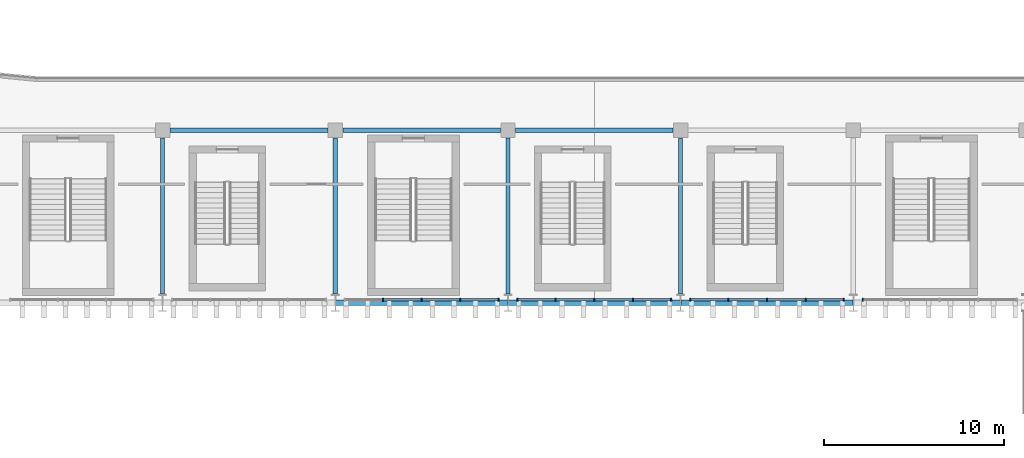
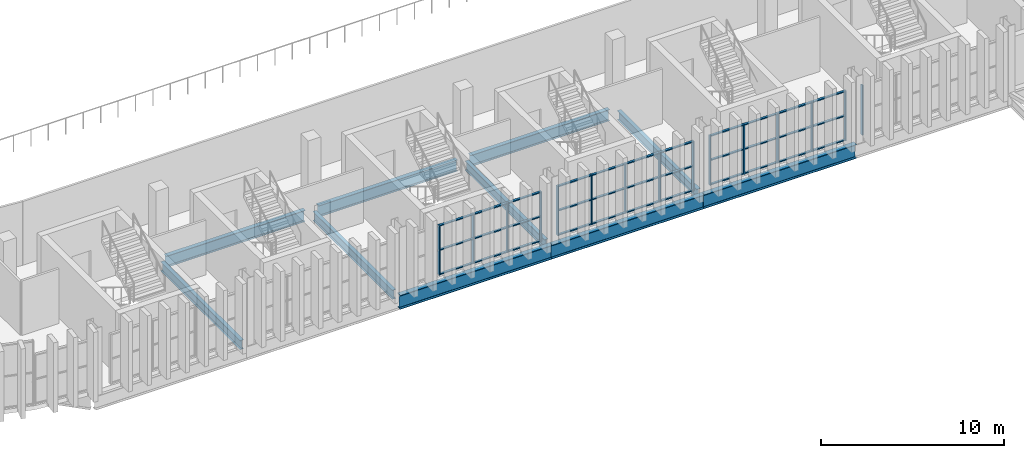
# One storey, part 9 of 75: 48 members, 10 beams, 4 elements without a shape of their own.
"""IFC4 building model written with IfcOpenShell, lengths in metres."""

from ifc_helpers import new_model, si_unit, direction, frame, origin, origin_2d, place, context, subcontext, project, spatial, rectangle, i_section, extrude, material, layer, layer_set, material_profile, profile_set, type_object, element, aggregate, save


model = new_model("IFC4")

# Units and contexts
model_context = context("Model", 3, precision=1e-05, world=origin(), true_north=direction((0.0, 1.0)))
body_context = subcontext(model_context, "Body", "Model", "MODEL_VIEW")
ifc_project = project(units=[si_unit("LENGTHUNIT", "METRE"), si_unit("AREAUNIT", "SQUARE_METRE"), si_unit("VOLUMEUNIT", "CUBIC_METRE"), si_unit("PLANEANGLEUNIT", "RADIAN"), si_unit("MASSUNIT", "GRAM", prefix="KILO")], contexts=[model_context])

# Site, building, storey
site_placement = place(None, origin())
site = spatial("IfcSite", under=ifc_project, at=site_placement, CompositionType="ELEMENT")
building_placement = place(site_placement, origin())
building = spatial("IfcBuilding", under=site, at=building_placement, Name="Caelomonte Colonnade Arena", CompositionType="ELEMENT")
storey_placement = place(building_placement, frame((0.0, 0.0, 14.10009765625)))
storey = spatial("IfcBuildingStorey", under=building, at=storey_placement, Name="L03", CompositionType="ELEMENT", Elevation=14.10009765625)

# Curtain wall, members
ifc_material_1 = material(Name="Bronze anodised aluminium and low-E glazing", Category="aluminium")
ifc_layer = layer(ifc_material_1, 0.179931640625)
ifc_layer_set = layer_set([ifc_layer], Name="Bronze anodised aluminium and low-E glazing")
curtain_wall_type = type_object("IfcCurtainWallType", Name="ENV-CW-CW-L03-96-33", PredefinedType="USERDEFINED", material=ifc_layer_set)
curtain_wall_1_placement = place(storey_placement, origin())
curtain_wall_1 = element("IfcCurtainWall", 1, at=curtain_wall_1_placement, inside=storey, type_object=curtain_wall_type, Name="L03 unitized curtain wall CW-L03-1008-0194", ObjectType="UNITIZED CURTAIN WALL", PredefinedType="USERDEFINED")
ifc_material_2 = material(Name="Bronze anodised aluminium AA6063-T6", Category="aluminium")
ifc_material_profile_1 = material_profile(ifc_material_2, rectangle(XDim=0.070068359375, YDim=0.179931640625, at=origin_2d()), Name="CWM-70X180")
ifc_profile_set_1 = profile_set([ifc_material_profile_1], Name="Bronze anodised aluminium AA6063-T6")
member_type_1 = type_object("IfcMemberType", Name="ENV-CW-MULL1", PredefinedType="MULLION", material=ifc_profile_set_1)
member_1_placement = place(storey_placement, frame((98.646728515625, 19.3798828125, 0.0), z_axis=(0.0, 0.0, 1.0), x_axis=(1.0, 0.0, 0.0)))
member_1 = element("IfcMember", 2, at=member_1_placement, type_object=member_type_1, Name="CW-L03-96-33 mullion 2", PredefinedType="MULLION", context=body_context, shape_type="SweptSolid", body=[
    extrude(rectangle(XDim=0.070068359375, YDim=0.179931640625, at=origin_2d()), origin(), (0.0, 0.0, 1.0), 3.312744140625),
])
member_2_placement = place(storey_placement, frame((100.800048828125, 19.3798828125, 0.0), z_axis=(0.0, 0.0, 1.0), x_axis=(1.0, 0.0, 0.0)))
member_2 = element("IfcMember", 3, at=member_2_placement, type_object=member_type_1, Name="CW-L03-96-33 mullion 3", PredefinedType="MULLION", context=body_context, shape_type="SweptSolid", body=[
    extrude(rectangle(XDim=0.070068359375, YDim=0.179931640625, at=origin_2d()), origin(), (0.0, 0.0, 1.0), 3.312744140625),
])
member_3_placement = place(storey_placement, frame((102.953125, 19.3798828125, 0.0), z_axis=(0.0, 0.0, 1.0), x_axis=(1.0, 0.0, 0.0)))
member_3 = element("IfcMember", 4, at=member_3_placement, type_object=member_type_1, Name="CW-L03-96-33 mullion 4", PredefinedType="MULLION", context=body_context, shape_type="SweptSolid", body=[
    extrude(rectangle(XDim=0.070068359375, YDim=0.179931640625, at=origin_2d()), origin(), (0.0, 0.0, 1.0), 3.312744140625),
])
member_4_placement = place(storey_placement, frame((105.0712890625, 19.3798828125, 0.0), z_axis=(0.0, 0.0, 1.0), x_axis=(1.0, 0.0, 0.0)))
member_4 = element("IfcMember", 5, at=member_4_placement, type_object=member_type_1, Name="CW-L03-96-33 mullion 5", PredefinedType="MULLION", context=body_context, shape_type="SweptSolid", body=[
    extrude(rectangle(XDim=0.070068359375, YDim=0.179931640625, at=origin_2d()), origin(), (0.0, 0.0, 1.0), 3.312744140625),
])

curtain_wall_2_placement = place(storey_placement, origin())
curtain_wall_2 = element("IfcCurtainWall", 6, at=curtain_wall_2_placement, inside=storey, type_object=curtain_wall_type, Name="L03 unitized curtain wall CW-L03-1104-0194", ObjectType="UNITIZED CURTAIN WALL", PredefinedType="USERDEFINED")
member_5_placement = place(storey_placement, frame((106.128662109375, 19.3798828125, 0.0), z_axis=(0.0, 0.0, 1.0), x_axis=(1.0, 0.0, 0.0)))
member_5 = element("IfcMember", 7, at=member_5_placement, type_object=member_type_1, Name="CW-L03-96-33 mullion 1", PredefinedType="MULLION", context=body_context, shape_type="SweptSolid", body=[
    extrude(rectangle(XDim=0.070068359375, YDim=0.179931640625, at=origin_2d()), origin(), (0.0, 0.0, 1.0), 3.312744140625),
])
member_6_placement = place(storey_placement, frame((108.246826171875, 19.3798828125, 0.0), z_axis=(0.0, 0.0, 1.0), x_axis=(1.0, 0.0, 0.0)))
member_6 = element("IfcMember", 8, at=member_6_placement, type_object=member_type_1, Name="CW-L03-96-33 mullion 2", PredefinedType="MULLION", context=body_context, shape_type="SweptSolid", body=[
    extrude(rectangle(XDim=0.070068359375, YDim=0.179931640625, at=origin_2d()), origin(), (0.0, 0.0, 1.0), 3.312744140625),
])
member_7_placement = place(storey_placement, frame((110.39990234375, 19.3798828125, 0.0), z_axis=(0.0, 0.0, 1.0), x_axis=(1.0, 0.0, 0.0)))
member_7 = element("IfcMember", 9, at=member_7_placement, type_object=member_type_1, Name="CW-L03-96-33 mullion 3", PredefinedType="MULLION", context=body_context, shape_type="SweptSolid", body=[
    extrude(rectangle(XDim=0.070068359375, YDim=0.179931640625, at=origin_2d()), origin(), (0.0, 0.0, 1.0), 3.312744140625),
])
member_8_placement = place(storey_placement, frame((112.55322265625, 19.3798828125, 0.0), z_axis=(0.0, 0.0, 1.0), x_axis=(1.0, 0.0, 0.0)))
member_8 = element("IfcMember", 10, at=member_8_placement, type_object=member_type_1, Name="CW-L03-96-33 mullion 4", PredefinedType="MULLION", context=body_context, shape_type="SweptSolid", body=[
    extrude(rectangle(XDim=0.070068359375, YDim=0.179931640625, at=origin_2d()), origin(), (0.0, 0.0, 1.0), 3.312744140625),
])
member_9_placement = place(storey_placement, frame((114.67138671875, 19.3798828125, 0.0), z_axis=(0.0, 0.0, 1.0), x_axis=(1.0, 0.0, 0.0)))
member_9 = element("IfcMember", 11, at=member_9_placement, type_object=member_type_1, Name="CW-L03-96-33 mullion 5", PredefinedType="MULLION", context=body_context, shape_type="SweptSolid", body=[
    extrude(rectangle(XDim=0.070068359375, YDim=0.179931640625, at=origin_2d()), origin(), (0.0, 0.0, 1.0), 3.312744140625),
])

curtain_wall_3_placement = place(storey_placement, origin())
curtain_wall_3 = element("IfcCurtainWall", 12, at=curtain_wall_3_placement, inside=storey, type_object=curtain_wall_type, Name="L03 unitized curtain wall CW-L03-1200-0194", ObjectType="UNITIZED CURTAIN WALL", PredefinedType="USERDEFINED")
member_10_placement = place(storey_placement, frame((115.728759765625, 19.3798828125, 0.0), z_axis=(0.0, 0.0, 1.0), x_axis=(1.0, 0.0, 0.0)))
member_10 = element("IfcMember", 13, at=member_10_placement, type_object=member_type_1, Name="CW-L03-96-33 mullion 1", PredefinedType="MULLION", context=body_context, shape_type="SweptSolid", body=[
    extrude(rectangle(XDim=0.070068359375, YDim=0.179931640625, at=origin_2d()), origin(), (0.0, 0.0, 1.0), 3.312744140625),
])
member_11_placement = place(storey_placement, frame((117.846923828125, 19.3798828125, 0.0), z_axis=(0.0, 0.0, 1.0), x_axis=(1.0, 0.0, 0.0)))
member_11 = element("IfcMember", 14, at=member_11_placement, type_object=member_type_1, Name="CW-L03-96-33 mullion 2", PredefinedType="MULLION", context=body_context, shape_type="SweptSolid", body=[
    extrude(rectangle(XDim=0.070068359375, YDim=0.179931640625, at=origin_2d()), origin(), (0.0, 0.0, 1.0), 3.312744140625),
])
member_12_placement = place(storey_placement, frame((120.0, 19.3798828125, 0.0), z_axis=(0.0, 0.0, 1.0), x_axis=(1.0, 0.0, 0.0)))
member_12 = element("IfcMember", 15, at=member_12_placement, type_object=member_type_1, Name="CW-L03-96-33 mullion 3", PredefinedType="MULLION", context=body_context, shape_type="SweptSolid", body=[
    extrude(rectangle(XDim=0.070068359375, YDim=0.179931640625, at=origin_2d()), origin(), (0.0, 0.0, 1.0), 3.312744140625),
])
member_13_placement = place(storey_placement, frame((122.153076171875, 19.3798828125, 0.0), z_axis=(0.0, 0.0, 1.0), x_axis=(1.0, 0.0, 0.0)))
member_13 = element("IfcMember", 16, at=member_13_placement, type_object=member_type_1, Name="CW-L03-96-33 mullion 4", PredefinedType="MULLION", context=body_context, shape_type="SweptSolid", body=[
    extrude(rectangle(XDim=0.070068359375, YDim=0.179931640625, at=origin_2d()), origin(), (0.0, 0.0, 1.0), 3.312744140625),
])
member_14_placement = place(storey_placement, frame((124.271240234375, 19.3798828125, 0.0), z_axis=(0.0, 0.0, 1.0), x_axis=(1.0, 0.0, 0.0)))
member_14 = element("IfcMember", 17, at=member_14_placement, type_object=member_type_1, Name="CW-L03-96-33 mullion 5", PredefinedType="MULLION", context=body_context, shape_type="SweptSolid", body=[
    extrude(rectangle(XDim=0.070068359375, YDim=0.179931640625, at=origin_2d()), origin(), (0.0, 0.0, 1.0), 3.312744140625),
])

# Curtain wall, member
curtain_wall_4_placement = place(storey_placement, origin())
curtain_wall_4 = element("IfcCurtainWall", 18, at=curtain_wall_4_placement, inside=storey, type_object=curtain_wall_type, Name="L03 unitized curtain wall CW-L03-1296-0194", ObjectType="UNITIZED CURTAIN WALL", PredefinedType="USERDEFINED")
member_15_placement = place(storey_placement, frame((125.32861328125, 19.3798828125, 0.0), z_axis=(0.0, 0.0, 1.0), x_axis=(1.0, 0.0, 0.0)))
member_15 = element("IfcMember", 19, at=member_15_placement, type_object=member_type_1, Name="CW-L03-96-33 mullion 1", PredefinedType="MULLION", context=body_context, shape_type="SweptSolid", body=[
    extrude(rectangle(XDim=0.070068359375, YDim=0.179931640625, at=origin_2d()), origin(), (0.0, 0.0, 1.0), 3.312744140625),
])
aggregate(curtain_wall_4, [member_15])

# Member
ifc_material_profile_2 = material_profile(ifc_material_2, rectangle(XDim=0.070068359375, YDim=0.139892578125, at=origin_2d()), Name="CWT-70X140")
ifc_profile_set_2 = profile_set([ifc_material_profile_2], Name="Bronze anodised aluminium AA6063-T6")
member_type_2 = type_object("IfcMemberType", Name="ENV-CW-TRAN1", PredefinedType="USERDEFINED", material=ifc_profile_set_2)
member_16_placement = place(storey_placement, frame((98.681884765625, 19.3798828125, 0.034912109375), z_axis=(1.0, 0.0, 0.0), x_axis=(0.0, 0.0, 1.0)))
member_16 = element("IfcMember", 20, at=member_16_placement, type_object=member_type_2, Name="CW-L03-96-33 transom 2.1", ObjectType="TRANSOM", PredefinedType="USERDEFINED", context=body_context, shape_type="SweptSolid", body=[
    extrude(rectangle(XDim=0.070068359375, YDim=0.139892578125, at=origin_2d()), origin(), (0.0, 0.0, 1.0), 2.0830078125),
])

member_17_placement = place(storey_placement, frame((98.681884765625, 19.3798828125, 1.65625), z_axis=(1.0, 0.0, 0.0), x_axis=(0.0, 0.0, 1.0)))
member_17 = element("IfcMember", 21, at=member_17_placement, type_object=member_type_2, Name="CW-L03-96-33 transom 2.2", ObjectType="TRANSOM", PredefinedType="USERDEFINED", context=body_context, shape_type="SweptSolid", body=[
    extrude(rectangle(XDim=0.070068359375, YDim=0.139892578125, at=origin_2d()), origin(), (0.0, 0.0, 1.0), 2.0830078125),
])

member_18_placement = place(storey_placement, frame((98.681884765625, 19.3798828125, 3.277587890625), z_axis=(1.0, 0.0, 0.0), x_axis=(0.0, 0.0, 1.0)))
member_18 = element("IfcMember", 22, at=member_18_placement, type_object=member_type_2, Name="CW-L03-96-33 transom 2.3", ObjectType="TRANSOM", PredefinedType="USERDEFINED", context=body_context, shape_type="SweptSolid", body=[
    extrude(rectangle(XDim=0.070068359375, YDim=0.139892578125, at=origin_2d()), origin(), (0.0, 0.0, 1.0), 2.0830078125),
])

member_19_placement = place(storey_placement, frame((100.8349609375, 19.3798828125, 0.034912109375), z_axis=(1.0, 0.0, 0.0), x_axis=(0.0, 0.0, 1.0)))
member_19 = element("IfcMember", 23, at=member_19_placement, type_object=member_type_2, Name="CW-L03-96-33 transom 3.1", ObjectType="TRANSOM", PredefinedType="USERDEFINED", context=body_context, shape_type="SweptSolid", body=[
    extrude(rectangle(XDim=0.070068359375, YDim=0.139892578125, at=origin_2d()), origin(), (0.0, 0.0, 1.0), 2.083251953125),
])

member_20_placement = place(storey_placement, frame((100.8349609375, 19.3798828125, 1.65625), z_axis=(1.0, 0.0, 0.0), x_axis=(0.0, 0.0, 1.0)))
member_20 = element("IfcMember", 24, at=member_20_placement, type_object=member_type_2, Name="CW-L03-96-33 transom 3.2", ObjectType="TRANSOM", PredefinedType="USERDEFINED", context=body_context, shape_type="SweptSolid", body=[
    extrude(rectangle(XDim=0.070068359375, YDim=0.139892578125, at=origin_2d()), origin(), (0.0, 0.0, 1.0), 2.083251953125),
])

member_21_placement = place(storey_placement, frame((100.8349609375, 19.3798828125, 3.277587890625), z_axis=(1.0, 0.0, 0.0), x_axis=(0.0, 0.0, 1.0)))
member_21 = element("IfcMember", 25, at=member_21_placement, type_object=member_type_2, Name="CW-L03-96-33 transom 3.3", ObjectType="TRANSOM", PredefinedType="USERDEFINED", context=body_context, shape_type="SweptSolid", body=[
    extrude(rectangle(XDim=0.070068359375, YDim=0.139892578125, at=origin_2d()), origin(), (0.0, 0.0, 1.0), 2.083251953125),
])

member_22_placement = place(storey_placement, frame((102.988037109375, 19.3798828125, 0.034912109375), z_axis=(1.0, 0.0, 0.0), x_axis=(0.0, 0.0, 1.0)))
member_22 = element("IfcMember", 26, at=member_22_placement, type_object=member_type_2, Name="CW-L03-96-33 transom 4.1", ObjectType="TRANSOM", PredefinedType="USERDEFINED", context=body_context, shape_type="SweptSolid", body=[
    extrude(rectangle(XDim=0.070068359375, YDim=0.139892578125, at=origin_2d()), origin(), (0.0, 0.0, 1.0), 2.04833984375),
])

member_23_placement = place(storey_placement, frame((102.988037109375, 19.3798828125, 1.65625), z_axis=(1.0, 0.0, 0.0), x_axis=(0.0, 0.0, 1.0)))
member_23 = element("IfcMember", 27, at=member_23_placement, type_object=member_type_2, Name="CW-L03-96-33 transom 4.2", ObjectType="TRANSOM", PredefinedType="USERDEFINED", context=body_context, shape_type="SweptSolid", body=[
    extrude(rectangle(XDim=0.070068359375, YDim=0.139892578125, at=origin_2d()), origin(), (0.0, 0.0, 1.0), 2.04833984375),
])

member_24_placement = place(storey_placement, frame((102.988037109375, 19.3798828125, 3.277587890625), z_axis=(1.0, 0.0, 0.0), x_axis=(0.0, 0.0, 1.0)))
member_24 = element("IfcMember", 28, at=member_24_placement, type_object=member_type_2, Name="CW-L03-96-33 transom 4.3", ObjectType="TRANSOM", PredefinedType="USERDEFINED", context=body_context, shape_type="SweptSolid", body=[
    extrude(rectangle(XDim=0.070068359375, YDim=0.139892578125, at=origin_2d()), origin(), (0.0, 0.0, 1.0), 2.04833984375),
])

aggregate(curtain_wall_1, [member_1, member_2, member_3, member_4, member_16, member_17, member_18, member_19, member_20, member_21, member_22, member_23, member_24])

member_25_placement = place(storey_placement, frame((106.163818359375, 19.3798828125, 0.034912109375), z_axis=(1.0, 0.0, 0.0), x_axis=(0.0, 0.0, 1.0)))
member_25 = element("IfcMember", 29, at=member_25_placement, type_object=member_type_2, Name="CW-L03-96-33 transom 1.1", ObjectType="TRANSOM", PredefinedType="USERDEFINED", context=body_context, shape_type="SweptSolid", body=[
    extrude(rectangle(XDim=0.070068359375, YDim=0.139892578125, at=origin_2d()), origin(), (0.0, 0.0, 1.0), 2.048095703125),
])

member_26_placement = place(storey_placement, frame((106.163818359375, 19.3798828125, 1.65625), z_axis=(1.0, 0.0, 0.0), x_axis=(0.0, 0.0, 1.0)))
member_26 = element("IfcMember", 30, at=member_26_placement, type_object=member_type_2, Name="CW-L03-96-33 transom 1.2", ObjectType="TRANSOM", PredefinedType="USERDEFINED", context=body_context, shape_type="SweptSolid", body=[
    extrude(rectangle(XDim=0.070068359375, YDim=0.139892578125, at=origin_2d()), origin(), (0.0, 0.0, 1.0), 2.048095703125),
])

member_27_placement = place(storey_placement, frame((106.163818359375, 19.3798828125, 3.277587890625), z_axis=(1.0, 0.0, 0.0), x_axis=(0.0, 0.0, 1.0)))
member_27 = element("IfcMember", 31, at=member_27_placement, type_object=member_type_2, Name="CW-L03-96-33 transom 1.3", ObjectType="TRANSOM", PredefinedType="USERDEFINED", context=body_context, shape_type="SweptSolid", body=[
    extrude(rectangle(XDim=0.070068359375, YDim=0.139892578125, at=origin_2d()), origin(), (0.0, 0.0, 1.0), 2.048095703125),
])

member_28_placement = place(storey_placement, frame((108.28173828125, 19.3798828125, 0.034912109375), z_axis=(1.0, 0.0, 0.0), x_axis=(0.0, 0.0, 1.0)))
member_28 = element("IfcMember", 32, at=member_28_placement, type_object=member_type_2, Name="CW-L03-96-33 transom 2.1", ObjectType="TRANSOM", PredefinedType="USERDEFINED", context=body_context, shape_type="SweptSolid", body=[
    extrude(rectangle(XDim=0.070068359375, YDim=0.139892578125, at=origin_2d()), origin(), (0.0, 0.0, 1.0), 2.083251953125),
])

member_29_placement = place(storey_placement, frame((108.28173828125, 19.3798828125, 1.65625), z_axis=(1.0, 0.0, 0.0), x_axis=(0.0, 0.0, 1.0)))
member_29 = element("IfcMember", 33, at=member_29_placement, type_object=member_type_2, Name="CW-L03-96-33 transom 2.2", ObjectType="TRANSOM", PredefinedType="USERDEFINED", context=body_context, shape_type="SweptSolid", body=[
    extrude(rectangle(XDim=0.070068359375, YDim=0.139892578125, at=origin_2d()), origin(), (0.0, 0.0, 1.0), 2.083251953125),
])

member_30_placement = place(storey_placement, frame((108.28173828125, 19.3798828125, 3.277587890625), z_axis=(1.0, 0.0, 0.0), x_axis=(0.0, 0.0, 1.0)))
member_30 = element("IfcMember", 34, at=member_30_placement, type_object=member_type_2, Name="CW-L03-96-33 transom 2.3", ObjectType="TRANSOM", PredefinedType="USERDEFINED", context=body_context, shape_type="SweptSolid", body=[
    extrude(rectangle(XDim=0.070068359375, YDim=0.139892578125, at=origin_2d()), origin(), (0.0, 0.0, 1.0), 2.083251953125),
])

member_31_placement = place(storey_placement, frame((110.43505859375, 19.3798828125, 0.034912109375), z_axis=(1.0, 0.0, 0.0), x_axis=(0.0, 0.0, 1.0)))
member_31 = element("IfcMember", 35, at=member_31_placement, type_object=member_type_2, Name="CW-L03-96-33 transom 3.1", ObjectType="TRANSOM", PredefinedType="USERDEFINED", context=body_context, shape_type="SweptSolid", body=[
    extrude(rectangle(XDim=0.070068359375, YDim=0.139892578125, at=origin_2d()), origin(), (0.0, 0.0, 1.0), 2.0830078125),
])

member_32_placement = place(storey_placement, frame((110.43505859375, 19.3798828125, 1.65625), z_axis=(1.0, 0.0, 0.0), x_axis=(0.0, 0.0, 1.0)))
member_32 = element("IfcMember", 36, at=member_32_placement, type_object=member_type_2, Name="CW-L03-96-33 transom 3.2", ObjectType="TRANSOM", PredefinedType="USERDEFINED", context=body_context, shape_type="SweptSolid", body=[
    extrude(rectangle(XDim=0.070068359375, YDim=0.139892578125, at=origin_2d()), origin(), (0.0, 0.0, 1.0), 2.0830078125),
])

member_33_placement = place(storey_placement, frame((110.43505859375, 19.3798828125, 3.277587890625), z_axis=(1.0, 0.0, 0.0), x_axis=(0.0, 0.0, 1.0)))
member_33 = element("IfcMember", 37, at=member_33_placement, type_object=member_type_2, Name="CW-L03-96-33 transom 3.3", ObjectType="TRANSOM", PredefinedType="USERDEFINED", context=body_context, shape_type="SweptSolid", body=[
    extrude(rectangle(XDim=0.070068359375, YDim=0.139892578125, at=origin_2d()), origin(), (0.0, 0.0, 1.0), 2.0830078125),
])

member_34_placement = place(storey_placement, frame((112.588134765625, 19.3798828125, 0.034912109375), z_axis=(1.0, 0.0, 0.0), x_axis=(0.0, 0.0, 1.0)))
member_34 = element("IfcMember", 38, at=member_34_placement, type_object=member_type_2, Name="CW-L03-96-33 transom 4.1", ObjectType="TRANSOM", PredefinedType="USERDEFINED", context=body_context, shape_type="SweptSolid", body=[
    extrude(rectangle(XDim=0.070068359375, YDim=0.139892578125, at=origin_2d()), origin(), (0.0, 0.0, 1.0), 2.048095703125),
])

member_35_placement = place(storey_placement, frame((112.588134765625, 19.3798828125, 1.65625), z_axis=(1.0, 0.0, 0.0), x_axis=(0.0, 0.0, 1.0)))
member_35 = element("IfcMember", 39, at=member_35_placement, type_object=member_type_2, Name="CW-L03-96-33 transom 4.2", ObjectType="TRANSOM", PredefinedType="USERDEFINED", context=body_context, shape_type="SweptSolid", body=[
    extrude(rectangle(XDim=0.070068359375, YDim=0.139892578125, at=origin_2d()), origin(), (0.0, 0.0, 1.0), 2.048095703125),
])

member_36_placement = place(storey_placement, frame((112.588134765625, 19.3798828125, 3.277587890625), z_axis=(1.0, 0.0, 0.0), x_axis=(0.0, 0.0, 1.0)))
member_36 = element("IfcMember", 40, at=member_36_placement, type_object=member_type_2, Name="CW-L03-96-33 transom 4.3", ObjectType="TRANSOM", PredefinedType="USERDEFINED", context=body_context, shape_type="SweptSolid", body=[
    extrude(rectangle(XDim=0.070068359375, YDim=0.139892578125, at=origin_2d()), origin(), (0.0, 0.0, 1.0), 2.048095703125),
])

aggregate(curtain_wall_2, [member_5, member_6, member_7, member_8, member_9, member_25, member_26, member_27, member_28, member_29, member_30, member_31, member_32, member_33, member_34, member_35, member_36])

member_37_placement = place(storey_placement, frame((115.763671875, 19.3798828125, 0.034912109375), z_axis=(1.0, 0.0, 0.0), x_axis=(0.0, 0.0, 1.0)))
member_37 = element("IfcMember", 41, at=member_37_placement, type_object=member_type_2, Name="CW-L03-96-33 transom 1.1", ObjectType="TRANSOM", PredefinedType="USERDEFINED", context=body_context, shape_type="SweptSolid", body=[
    extrude(rectangle(XDim=0.070068359375, YDim=0.139892578125, at=origin_2d()), origin(), (0.0, 0.0, 1.0), 2.048095703125),
])

member_38_placement = place(storey_placement, frame((115.763671875, 19.3798828125, 1.65625), z_axis=(1.0, 0.0, 0.0), x_axis=(0.0, 0.0, 1.0)))
member_38 = element("IfcMember", 42, at=member_38_placement, type_object=member_type_2, Name="CW-L03-96-33 transom 1.2", ObjectType="TRANSOM", PredefinedType="USERDEFINED", context=body_context, shape_type="SweptSolid", body=[
    extrude(rectangle(XDim=0.070068359375, YDim=0.139892578125, at=origin_2d()), origin(), (0.0, 0.0, 1.0), 2.048095703125),
])

member_39_placement = place(storey_placement, frame((115.763671875, 19.3798828125, 3.277587890625), z_axis=(1.0, 0.0, 0.0), x_axis=(0.0, 0.0, 1.0)))
member_39 = element("IfcMember", 43, at=member_39_placement, type_object=member_type_2, Name="CW-L03-96-33 transom 1.3", ObjectType="TRANSOM", PredefinedType="USERDEFINED", context=body_context, shape_type="SweptSolid", body=[
    extrude(rectangle(XDim=0.070068359375, YDim=0.139892578125, at=origin_2d()), origin(), (0.0, 0.0, 1.0), 2.048095703125),
])

member_40_placement = place(storey_placement, frame((117.8818359375, 19.3798828125, 0.034912109375), z_axis=(1.0, 0.0, 0.0), x_axis=(0.0, 0.0, 1.0)))
member_40 = element("IfcMember", 44, at=member_40_placement, type_object=member_type_2, Name="CW-L03-96-33 transom 2.1", ObjectType="TRANSOM", PredefinedType="USERDEFINED", context=body_context, shape_type="SweptSolid", body=[
    extrude(rectangle(XDim=0.070068359375, YDim=0.139892578125, at=origin_2d()), origin(), (0.0, 0.0, 1.0), 2.083251953125),
])

member_41_placement = place(storey_placement, frame((117.8818359375, 19.3798828125, 1.65625), z_axis=(1.0, 0.0, 0.0), x_axis=(0.0, 0.0, 1.0)))
member_41 = element("IfcMember", 45, at=member_41_placement, type_object=member_type_2, Name="CW-L03-96-33 transom 2.2", ObjectType="TRANSOM", PredefinedType="USERDEFINED", context=body_context, shape_type="SweptSolid", body=[
    extrude(rectangle(XDim=0.070068359375, YDim=0.139892578125, at=origin_2d()), origin(), (0.0, 0.0, 1.0), 2.083251953125),
])

member_42_placement = place(storey_placement, frame((117.8818359375, 19.3798828125, 3.277587890625), z_axis=(1.0, 0.0, 0.0), x_axis=(0.0, 0.0, 1.0)))
member_42 = element("IfcMember", 46, at=member_42_placement, type_object=member_type_2, Name="CW-L03-96-33 transom 2.3", ObjectType="TRANSOM", PredefinedType="USERDEFINED", context=body_context, shape_type="SweptSolid", body=[
    extrude(rectangle(XDim=0.070068359375, YDim=0.139892578125, at=origin_2d()), origin(), (0.0, 0.0, 1.0), 2.083251953125),
])

member_43_placement = place(storey_placement, frame((120.034912109375, 19.3798828125, 0.034912109375), z_axis=(1.0, 0.0, 0.0), x_axis=(0.0, 0.0, 1.0)))
member_43 = element("IfcMember", 47, at=member_43_placement, type_object=member_type_2, Name="CW-L03-96-33 transom 3.1", ObjectType="TRANSOM", PredefinedType="USERDEFINED", context=body_context, shape_type="SweptSolid", body=[
    extrude(rectangle(XDim=0.070068359375, YDim=0.139892578125, at=origin_2d()), origin(), (0.0, 0.0, 1.0), 2.083251953125),
])

member_44_placement = place(storey_placement, frame((120.034912109375, 19.3798828125, 1.65625), z_axis=(1.0, 0.0, 0.0), x_axis=(0.0, 0.0, 1.0)))
member_44 = element("IfcMember", 48, at=member_44_placement, type_object=member_type_2, Name="CW-L03-96-33 transom 3.2", ObjectType="TRANSOM", PredefinedType="USERDEFINED", context=body_context, shape_type="SweptSolid", body=[
    extrude(rectangle(XDim=0.070068359375, YDim=0.139892578125, at=origin_2d()), origin(), (0.0, 0.0, 1.0), 2.083251953125),
])

member_45_placement = place(storey_placement, frame((120.034912109375, 19.3798828125, 3.277587890625), z_axis=(1.0, 0.0, 0.0), x_axis=(0.0, 0.0, 1.0)))
member_45 = element("IfcMember", 49, at=member_45_placement, type_object=member_type_2, Name="CW-L03-96-33 transom 3.3", ObjectType="TRANSOM", PredefinedType="USERDEFINED", context=body_context, shape_type="SweptSolid", body=[
    extrude(rectangle(XDim=0.070068359375, YDim=0.139892578125, at=origin_2d()), origin(), (0.0, 0.0, 1.0), 2.083251953125),
])

member_46_placement = place(storey_placement, frame((122.188232421875, 19.3798828125, 0.034912109375), z_axis=(1.0, 0.0, 0.0), x_axis=(0.0, 0.0, 1.0)))
member_46 = element("IfcMember", 50, at=member_46_placement, type_object=member_type_2, Name="CW-L03-96-33 transom 4.1", ObjectType="TRANSOM", PredefinedType="USERDEFINED", context=body_context, shape_type="SweptSolid", body=[
    extrude(rectangle(XDim=0.070068359375, YDim=0.139892578125, at=origin_2d()), origin(), (0.0, 0.0, 1.0), 2.048095703125),
])

member_47_placement = place(storey_placement, frame((122.188232421875, 19.3798828125, 1.65625), z_axis=(1.0, 0.0, 0.0), x_axis=(0.0, 0.0, 1.0)))
member_47 = element("IfcMember", 51, at=member_47_placement, type_object=member_type_2, Name="CW-L03-96-33 transom 4.2", ObjectType="TRANSOM", PredefinedType="USERDEFINED", context=body_context, shape_type="SweptSolid", body=[
    extrude(rectangle(XDim=0.070068359375, YDim=0.139892578125, at=origin_2d()), origin(), (0.0, 0.0, 1.0), 2.048095703125),
])

member_48_placement = place(storey_placement, frame((122.188232421875, 19.3798828125, 3.277587890625), z_axis=(1.0, 0.0, 0.0), x_axis=(0.0, 0.0, 1.0)))
member_48 = element("IfcMember", 52, at=member_48_placement, type_object=member_type_2, Name="CW-L03-96-33 transom 4.3", ObjectType="TRANSOM", PredefinedType="USERDEFINED", context=body_context, shape_type="SweptSolid", body=[
    extrude(rectangle(XDim=0.070068359375, YDim=0.139892578125, at=origin_2d()), origin(), (0.0, 0.0, 1.0), 2.048095703125),
])

aggregate(curtain_wall_3, [member_10, member_11, member_12, member_13, member_14, member_37, member_38, member_39, member_40, member_41, member_42, member_43, member_44, member_45, member_46, member_47, member_48])

# Beams
ifc_material_3 = material(Name="Wide-flange steel ASTM A992 Grade 50", Category="steel")
ifc_material_profile_3 = material_profile(ifc_material_3, i_section(OverallWidth=0.307861328125, OverallDepth=0.927001953125, WebThickness=0.019287109375, FlangeThickness=0.031982421875, FilletRadius=0.020263671875, at=origin_2d()), Name="W36X194")
ifc_profile_set_3 = profile_set([ifc_material_profile_3], Name="Wide-flange steel ASTM A992 Grade 50")
beam_type_1 = type_object("IfcBeamType", Name="STR-BM-EAVES2", PredefinedType="SPANDREL", material=ifc_profile_set_3)
for number, where, z_axis, x_axis, name in (
    (53, (96.01171875, 19.199951171875, -0.74365234375), (1.0, 0.0, 0.0), (0.0, 1.0, 0.0), "L03 girder BMX-L03-0960-0192"),
    (54, (105.61181640625, 19.199951171875, -0.74365234375), (1.0, 0.0, 0.0), (0.0, 1.0, 0.0), "L03 girder BMX-L03-1056-0192"),
):
    element("IfcBeam", number, at=place(storey_placement, frame(where, z_axis=z_axis, x_axis=x_axis)), inside=storey, type_object=beam_type_1, Name=name, PredefinedType="SPANDREL", context=body_context, shape_type="SweptSolid", body=[
        extrude(i_section(OverallWidth=0.307861328125, OverallDepth=0.927001953125, WebThickness=0.019287109375, FlangeThickness=0.031982421875, FilletRadius=0.020263671875, at=origin_2d()), origin(), (0.0, 0.0, 1.0), 9.576416015625),
    ])
beam_1_placement = place(storey_placement, frame((115.2119140625, 19.199951171875, -0.74365234375), z_axis=(1.0, 0.0, 0.0), x_axis=(0.0, 1.0, 0.0)))
element("IfcBeam", 55, at=beam_1_placement, inside=storey, type_object=beam_type_1, Name="L03 girder BMX-L03-1152-0192", PredefinedType="SPANDREL", context=body_context, shape_type="SweptSolid", body=[
    extrude(i_section(OverallWidth=0.307861328125, OverallDepth=0.927001953125, WebThickness=0.019287109375, FlangeThickness=0.031982421875, FilletRadius=0.020263671875, at=origin_2d()), origin(), (0.0, 0.0, 1.0), 9.576171875),
])
ifc_material_profile_4 = material_profile(ifc_material_3, i_section(OverallWidth=0.228271484375, OverallDepth=0.607177734375, WebThickness=0.01123046875, FlangeThickness=0.017333984375, FilletRadius=0.0126953125, at=origin_2d()), Name="W24X76")
ifc_profile_set_4 = profile_set([ifc_material_profile_4], Name="Wide-flange steel ASTM A992 Grade 50")
beam_type_2 = type_object("IfcBeamType", Name="STR-BM-GIRD24", PredefinedType="BEAM", material=ifc_profile_set_4)
for number, where, z_axis, x_axis, name in (
    (56, (86.39990234375, 19.697509765625, -0.58349609375), (0.0, 1.0, 0.0), (-1.0, 0.0, 0.0), "L03 girder BMY-L03-0864-0192"),
    (57, (96.0, 19.697509765625, -0.58349609375), (0.0, 1.0, 0.0), (-1.0, 0.0, 0.0), "L03 girder BMY-L03-0960-0192"),
    (58, (105.60009765625, 19.697509765625, -0.58349609375), (0.0, 1.0, 0.0), (-1.0, 0.0, 0.0), "L03 girder BMY-L03-1056-0192"),
    (59, (115.199951171875, 19.697509765625, -0.58349609375), (0.0, 1.0, 0.0), (-1.0, 0.0, 0.0), "L03 girder BMY-L03-1152-0192"),
):
    element("IfcBeam", number, at=place(storey_placement, frame(where, z_axis=z_axis, x_axis=x_axis)), inside=storey, type_object=beam_type_2, Name=name, PredefinedType="BEAM", context=body_context, shape_type="SweptSolid", body=[
        extrude(i_section(OverallWidth=0.228271484375, OverallDepth=0.607177734375, WebThickness=0.01123046875, FlangeThickness=0.017333984375, FilletRadius=0.0126953125, at=origin_2d()), origin(), (0.0, 0.0, 1.0), 8.685546875),
    ])
ifc_material_profile_5 = material_profile(ifc_material_3, i_section(OverallWidth=0.265380859375, OverallDepth=0.75439453125, WebThickness=0.01318359375, FlangeThickness=0.01708984375, FilletRadius=0.0166015625, at=origin_2d()), Name="W30X99")
ifc_profile_set_5 = profile_set([ifc_material_profile_5], Name="Wide-flange steel ASTM A992 Grade 50")
beam_type_3 = type_object("IfcBeamType", Name="STR-BM-GIRD30B", PredefinedType="BEAM", material=ifc_profile_set_5)
for number, where, z_axis, x_axis, name in (
    (60, (86.81689453125, 28.800048828125, -0.6572265625), (1.0, 0.0, 0.0), (0.0, 1.0, 0.0), "L03 girder BMX-L03-0864-0288"),
    (61, (96.4169921875, 28.800048828125, -0.6572265625), (1.0, 0.0, 0.0), (0.0, 1.0, 0.0), "L03 girder BMX-L03-0960-0288"),
):
    element("IfcBeam", number, at=place(storey_placement, frame(where, z_axis=z_axis, x_axis=x_axis)), inside=storey, type_object=beam_type_3, Name=name, PredefinedType="BEAM", context=body_context, shape_type="SweptSolid", body=[
        extrude(i_section(OverallWidth=0.265380859375, OverallDepth=0.75439453125, WebThickness=0.01318359375, FlangeThickness=0.01708984375, FilletRadius=0.0166015625, at=origin_2d()), origin(), (0.0, 0.0, 1.0), 8.76611328125),
    ])
beam_2_placement = place(storey_placement, frame((106.01708984375, 28.800048828125, -0.6572265625), z_axis=(1.0, 0.0, 0.0), x_axis=(0.0, 1.0, 0.0)))
element("IfcBeam", 62, at=beam_2_placement, inside=storey, type_object=beam_type_3, Name="L03 girder BMX-L03-1056-0288", PredefinedType="BEAM", context=body_context, shape_type="SweptSolid", body=[
    extrude(i_section(OverallWidth=0.265380859375, OverallDepth=0.75439453125, WebThickness=0.01318359375, FlangeThickness=0.01708984375, FilletRadius=0.0166015625, at=origin_2d()), origin(), (0.0, 0.0, 1.0), 8.765869140625),
])

save(model, "model.ifc")
